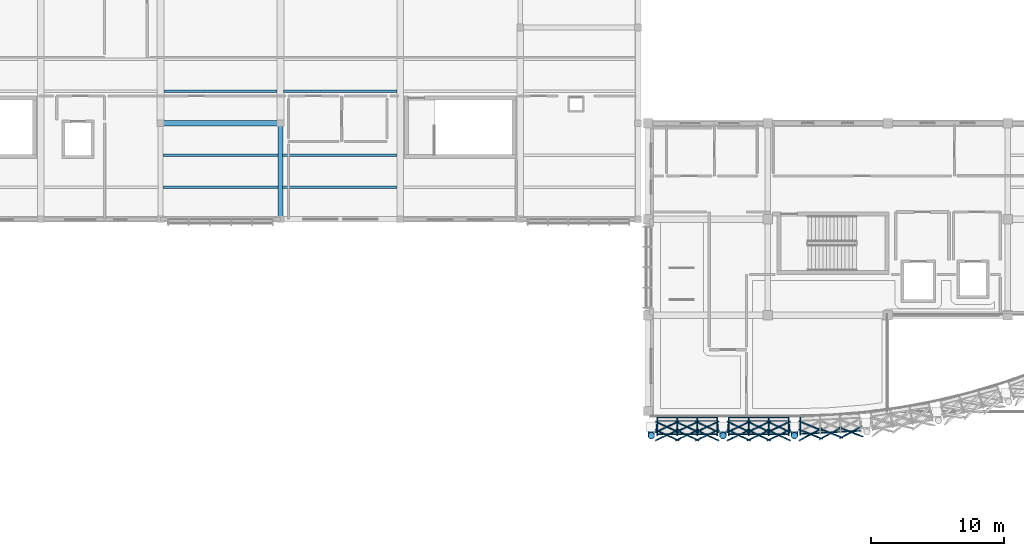
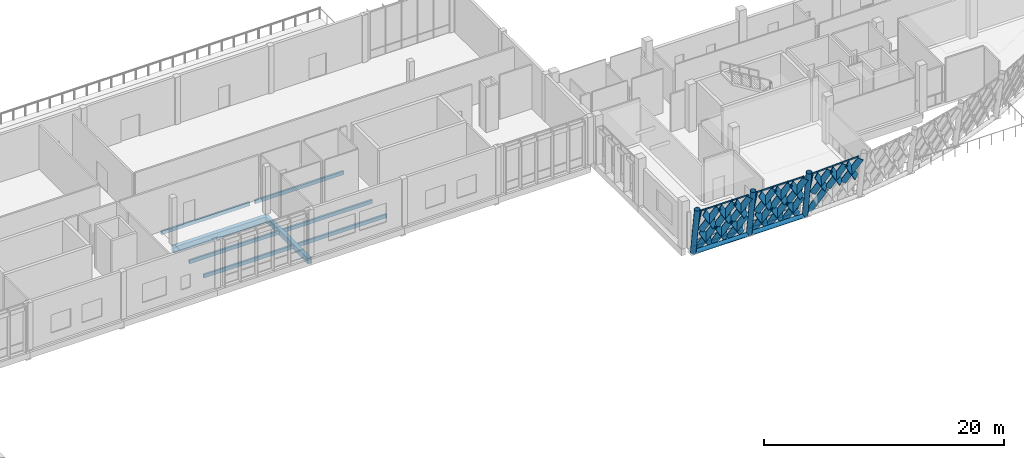
# One storey, part 48 of 177: 50 members, 10 beams, 3 elements without a shape of their own.
"""IFC4 building model written with IfcOpenShell, lengths in metres."""

from ifc_helpers import new_model, si_unit, direction, frame, origin, origin_2d, place, context, subcontext, project, spatial, rectangle, hollow_rectangle, hollow_circle, extrude, material, material_profile, profile_set, type_object, element, aggregate, save


model = new_model("IFC4")

# Units and contexts
model_context = context("Model", 3, precision=1e-05, world=origin(), true_north=direction((0.0, 1.0)))
body_context = subcontext(model_context, "Body", "Model", "MODEL_VIEW")
ifc_project = project(units=[si_unit("LENGTHUNIT", "METRE"), si_unit("AREAUNIT", "SQUARE_METRE"), si_unit("VOLUMEUNIT", "CUBIC_METRE"), si_unit("PLANEANGLEUNIT", "RADIAN"), si_unit("MASSUNIT", "GRAM", prefix="KILO")], contexts=[model_context])

# Site, building, storey
site_placement = place(None, origin())
site = spatial("IfcSite", under=ifc_project, at=site_placement, CompositionType="ELEMENT")
building_placement = place(site_placement, origin())
building = spatial("IfcBuilding", under=site, at=building_placement, Name="Chiffa Square Polytechnic", CompositionType="ELEMENT")
storey_placement = place(building_placement, frame((0.0, 0.0, 4.800048828125)))
storey = spatial("IfcBuildingStorey", under=building, at=storey_placement, Name="L01", CompositionType="ELEMENT", Elevation=4.800048828125)

# Beams
ifc_material_1 = material(Name="Concrete C35/45", Category="concrete")
ifc_material_profile_1 = material_profile(ifc_material_1, rectangle(XDim=0.35009765625, YDim=0.550048828125, at=origin_2d()), Name="RC 350x550")
ifc_profile_set_1 = profile_set([ifc_material_profile_1], Name="Concrete C35/45")
beam_type_1 = type_object("IfcBeamType", Name="BM-RC-350X550", PredefinedType="BEAM", material=ifc_profile_set_1)
beam_1_placement = place(storey_placement, frame((84.60009765625, 21.60009765625, -0.554931640625), z_axis=(0.0, 1.0, 0.0), x_axis=(-1.0, 0.0, 0.0)))
element("IfcBeam", 1, at=beam_1_placement, inside=storey, type_object=beam_type_1, Name="Primary floor girder BM-V4-L01-Y-0846-0216", PredefinedType="BEAM", context=body_context, shape_type="SweptSolid", body=[
    extrude(rectangle(XDim=0.35009765625, YDim=0.550048828125, at=origin_2d()), origin(), (0.0, 0.0, 1.0), 7.199951171875),
])
ifc_material_profile_2 = material_profile(ifc_material_1, rectangle(XDim=0.39990234375, YDim=0.60009765625, at=origin_2d()), Name="RC 400x600")
ifc_profile_set_2 = profile_set([ifc_material_profile_2], Name="Concrete C35/45")
beam_type_2 = type_object("IfcBeamType", Name="BM-RC-400X600", PredefinedType="BEAM", material=ifc_profile_set_2)
beam_2_placement = place(storey_placement, frame((75.60009765625, 28.800048828125, -0.580078125), z_axis=(1.0, 0.0, 0.0), x_axis=(0.0, 1.0, 0.0)))
element("IfcBeam", 2, at=beam_2_placement, inside=storey, type_object=beam_type_2, Name="Primary floor girder BM-V4-L01-X-0756-0288", PredefinedType="BEAM", context=body_context, shape_type="SweptSolid", body=[
    extrude(rectangle(XDim=0.39990234375, YDim=0.60009765625, at=origin_2d()), origin(), (0.0, 0.0, 1.0), 9.0),
])
ifc_material_2 = material(Name="Steel S355", Category="steel")
ifc_material_profile_3 = material_profile(ifc_material_2, hollow_circle(Radius=0.203125, WallThickness=0.012451171875, at=origin_2d()), Name="CHS 406.4x12.5")
ifc_profile_set_3 = profile_set([ifc_material_profile_3], Name="Steel S355")
beam_type_3 = type_object("IfcBeamType", Name="BM-STL-CHS406", PredefinedType="BEAM", material=ifc_profile_set_3)
for number, where, z_axis, x_axis, name in (
    (3, (112.449951171875, 6.029052734375, 0.0), (1.0, 0.0, 0.0), (0.0, 1.0, 0.0), "Prow V-column ring tie BM-V1-VRING-L01-01"),
    (4, (117.824951171875, 6.029052734375, 0.0), (1.0, 0.0, 0.0), (0.0, 1.0, 0.0), "Prow V-column ring tie BM-V1-VRING-L01-02"),
):
    element("IfcBeam", number, at=place(storey_placement, frame(where, z_axis=z_axis, x_axis=x_axis)), inside=storey, type_object=beam_type_3, Name=name, PredefinedType="BEAM", context=body_context, shape_type="SweptSolid", body=[
        extrude(hollow_circle(Radius=0.203125, WallThickness=0.012451171875, at=origin_2d()), origin(), (0.0, 0.0, 1.0), 5.375),
    ])

# Members
ifc_material_profile_4 = material_profile(ifc_material_2, hollow_circle(Radius=0.25390625, WallThickness=0.01611328125, at=origin_2d()), Name="CHS 508x16")
ifc_profile_set_4 = profile_set([ifc_material_profile_4], Name="Steel S355")
member_type_1 = type_object("IfcMemberType", Name="COL-VSTRUT-508", PredefinedType="STRUT", material=ifc_profile_set_4)
for number, where, z_axis, x_axis, name in (
    (5, (112.449951171875, 6.029052734375, 0.0), (0.0, -0.14005342156, 0.990143948681), (1.0, 0.0, 0.0), "Prow steel V-strut CV-V1-L01-01L"),
    (6, (117.824951171875, 6.029052734375, 0.0), (0.0, -0.14005342156, 0.990143948681), (1.0, 0.0, 0.0), "Prow steel V-strut CV-V1-L01-01R"),
    (7, (123.199951171875, 6.029052734375, 0.0), (0.0, -0.14005342156, 0.990143948681), (1.0, 0.0, 0.0), "Prow steel V-strut CV-V1-L01-02L"),
):
    element("IfcMember", number, at=place(storey_placement, frame(where, z_axis=z_axis, x_axis=x_axis)), inside=storey, type_object=member_type_1, Name=name, PredefinedType="STRUT", context=body_context, shape_type="SweptSolid", body=[
        extrude(hollow_circle(Radius=0.25390625, WallThickness=0.01611328125, at=origin_2d()), origin(), (0.0, 0.0, 1.0), 4.847900390625),
    ])

# Curtain wall, members
ifc_material_3 = material(Name="Aluminium EN AW-6060 T66 and glulam shading", Category="wood")
curtain_wall_type_1 = type_object("IfcCurtainWallType", Name="CW-PROW-LEAN-150", PredefinedType="USERDEFINED", material=ifc_material_3)
curtain_wall_1_placement = place(storey_placement, origin())
curtain_wall_1 = element("IfcCurtainWall", 8, at=curtain_wall_1_placement, inside=storey, type_object=curtain_wall_type_1, Name="Outward-leaning diamond-fin prow curtain wall CW-V1-L01-010", ObjectType="CURTAIN WALL", PredefinedType="USERDEFINED")
ifc_material_4 = material(Name="Aluminium EN AW-6060 T66", Category="aluminium")
ifc_material_profile_5 = material_profile(ifc_material_4, hollow_rectangle(XDim=0.06494140625, YDim=0.179931640625, WallThickness=0.00390625, at=origin_2d()), Name="ALU 65x180x4")
ifc_profile_set_5 = profile_set([ifc_material_profile_5], Name="Aluminium EN AW-6060 T66")
member_type_2 = type_object("IfcMemberType", Name="CWM-ALU-75X180", PredefinedType="MULLION", material=ifc_profile_set_5)
member_1_placement = place(storey_placement, frame((112.8798828125, 6.7080078125, 0.0), z_axis=(0.0, -0.27215757501, 0.96225269777), x_axis=(1.0, 0.0, 0.0)))
member_1 = element("IfcMember", 9, at=member_1_placement, type_object=member_type_2, Name="Leaning prow mullion CW-V1-L01-010-M00", PredefinedType="MULLION", context=body_context, shape_type="SweptSolid", body=[
    extrude(hollow_rectangle(XDim=0.06494140625, YDim=0.179931640625, WallThickness=0.00390625, at=origin_2d()), origin(), (0.0, 0.0, 1.0), 4.65576171875),
])
member_2_placement = place(storey_placement, frame((114.385009765625, 6.7080078125, 0.0), z_axis=(0.0, -0.27215757501, 0.96225269777), x_axis=(1.0, 0.0, 0.0)))
member_2 = element("IfcMember", 10, at=member_2_placement, type_object=member_type_2, Name="Leaning prow mullion CW-V1-L01-010-M01", PredefinedType="MULLION", context=body_context, shape_type="SweptSolid", body=[
    extrude(hollow_rectangle(XDim=0.06494140625, YDim=0.179931640625, WallThickness=0.00390625, at=origin_2d()), origin(), (0.0, 0.0, 1.0), 4.65576171875),
])
member_3_placement = place(storey_placement, frame((115.889892578125, 6.7080078125, 0.0), z_axis=(0.0, -0.27215757501, 0.96225269777), x_axis=(1.0, 0.0, 0.0)))
member_3 = element("IfcMember", 11, at=member_3_placement, type_object=member_type_2, Name="Leaning prow mullion CW-V1-L01-010-M02", PredefinedType="MULLION", context=body_context, shape_type="SweptSolid", body=[
    extrude(hollow_rectangle(XDim=0.06494140625, YDim=0.179931640625, WallThickness=0.00390625, at=origin_2d()), origin(), (0.0, 0.0, 1.0), 4.65576171875),
])
member_4_placement = place(storey_placement, frame((117.39501953125, 6.7080078125, 0.0), z_axis=(0.0, -0.27215757501, 0.96225269777), x_axis=(1.0, 0.0, 0.0)))
member_4 = element("IfcMember", 12, at=member_4_placement, type_object=member_type_2, Name="Leaning prow mullion CW-V1-L01-010-M03", PredefinedType="MULLION", context=body_context, shape_type="SweptSolid", body=[
    extrude(hollow_rectangle(XDim=0.06494140625, YDim=0.179931640625, WallThickness=0.00390625, at=origin_2d()), origin(), (0.0, 0.0, 1.0), 4.65576171875),
])

curtain_wall_type_2 = type_object("IfcCurtainWallType", Name="CW-PROW-LEAN-300", PredefinedType="USERDEFINED", material=ifc_material_3)
curtain_wall_2_placement = place(storey_placement, origin())
curtain_wall_2 = element("IfcCurtainWall", 13, at=curtain_wall_2_placement, inside=storey, type_object=curtain_wall_type_2, Name="Outward-leaning diamond-fin prow curtain wall CW-V1-L01-011", ObjectType="CURTAIN WALL", PredefinedType="USERDEFINED")
member_5_placement = place(storey_placement, frame((118.2548828125, 6.7080078125, 0.0), z_axis=(0.0, -0.27215757501, 0.96225269777), x_axis=(1.0, 0.0, 0.0)))
member_5 = element("IfcMember", 14, at=member_5_placement, type_object=member_type_2, Name="Leaning prow mullion CW-V1-L01-011-M00", PredefinedType="MULLION", context=body_context, shape_type="SweptSolid", body=[
    extrude(hollow_rectangle(XDim=0.06494140625, YDim=0.179931640625, WallThickness=0.00390625, at=origin_2d()), origin(), (0.0, 0.0, 1.0), 4.65576171875),
])
member_6_placement = place(storey_placement, frame((119.760009765625, 6.7080078125, 0.0), z_axis=(0.0, -0.27215757501, 0.96225269777), x_axis=(1.0, 0.0, 0.0)))
member_6 = element("IfcMember", 15, at=member_6_placement, type_object=member_type_2, Name="Leaning prow mullion CW-V1-L01-011-M01", PredefinedType="MULLION", context=body_context, shape_type="SweptSolid", body=[
    extrude(hollow_rectangle(XDim=0.06494140625, YDim=0.179931640625, WallThickness=0.00390625, at=origin_2d()), origin(), (0.0, 0.0, 1.0), 4.65576171875),
])
member_7_placement = place(storey_placement, frame((121.264892578125, 6.7080078125, 0.0), z_axis=(0.0, -0.27215757501, 0.96225269777), x_axis=(1.0, 0.0, 0.0)))
member_7 = element("IfcMember", 16, at=member_7_placement, type_object=member_type_2, Name="Leaning prow mullion CW-V1-L01-011-M02", PredefinedType="MULLION", context=body_context, shape_type="SweptSolid", body=[
    extrude(hollow_rectangle(XDim=0.06494140625, YDim=0.179931640625, WallThickness=0.00390625, at=origin_2d()), origin(), (0.0, 0.0, 1.0), 4.65576171875),
])
member_8_placement = place(storey_placement, frame((122.77001953125, 6.7080078125, 0.0), z_axis=(0.0, -0.27215757501, 0.96225269777), x_axis=(1.0, 0.0, 0.0)))
member_8 = element("IfcMember", 17, at=member_8_placement, type_object=member_type_2, Name="Leaning prow mullion CW-V1-L01-011-M03", PredefinedType="MULLION", context=body_context, shape_type="SweptSolid", body=[
    extrude(hollow_rectangle(XDim=0.06494140625, YDim=0.179931640625, WallThickness=0.00390625, at=origin_2d()), origin(), (0.0, 0.0, 1.0), 4.65576171875),
])

# Curtain wall, member
curtain_wall_3_placement = place(storey_placement, origin())
curtain_wall_3 = element("IfcCurtainWall", 18, at=curtain_wall_3_placement, inside=storey, type_object=curtain_wall_type_1, Name="Outward-leaning diamond-fin prow curtain wall CW-V1-L01-012", ObjectType="CURTAIN WALL", PredefinedType="USERDEFINED")
member_9_placement = place(storey_placement, frame((123.62890625, 6.73095703125, 0.0), z_axis=(0.0, -0.272351777206, 0.962197749661), x_axis=(1.0, 0.0, 0.0)))
member_9 = element("IfcMember", 19, at=member_9_placement, type_object=member_type_2, Name="Leaning prow mullion CW-V1-L01-012-M00", PredefinedType="MULLION", context=body_context, shape_type="SweptSolid", body=[
    extrude(hollow_rectangle(XDim=0.06494140625, YDim=0.179931640625, WallThickness=0.00390625, at=origin_2d()), origin(), (0.0, 0.0, 1.0), 4.656005859375),
])

# Member
ifc_material_5 = material(Name="Glulam GL28h", Category="wood")
ifc_material_profile_6 = material_profile(ifc_material_5, rectangle(XDim=0.080078125, YDim=0.580078125, at=origin_2d()), Name="GL28h 80x580")
ifc_profile_set_6 = profile_set([ifc_material_profile_6], Name="Glulam GL28h")
member_type_3 = type_object("IfcMemberType", Name="CWM-GL-80X580", PredefinedType="MULLION", material=ifc_profile_set_6)
member_10_placement = place(storey_placement, frame((112.962890625, 6.322021484375, 0.0400390625), z_axis=(0.5053721068, -0.235133931915, 0.830247594234), x_axis=(0.421844523072, 0.906668185365, 0.0)))
member_10 = element("IfcMember", 20, at=member_10_placement, type_object=member_type_3, Name="Diamond glulam fin CW-V1-L01-010-DF01A", PredefinedType="MULLION", context=body_context, shape_type="SweptSolid", body=[
    extrude(rectangle(XDim=0.080078125, YDim=0.580078125, at=origin_2d()), origin(), (0.0, 0.0, 1.0), 2.649658203125),
])

member_11_placement = place(storey_placement, frame((114.302001953125, 6.322021484375, 0.0400390625), z_axis=(-0.5053721068, -0.235133931915, 0.830247594234), x_axis=(0.421844523072, -0.906668185365, 0.0)))
member_11 = element("IfcMember", 21, at=member_11_placement, type_object=member_type_3, Name="Diamond glulam fin CW-V1-L01-010-DF01B", PredefinedType="MULLION", context=body_context, shape_type="SweptSolid", body=[
    extrude(rectangle(XDim=0.080078125, YDim=0.580078125, at=origin_2d()), origin(), (0.0, 0.0, 1.0), 2.649658203125),
])

member_12_placement = place(storey_placement, frame((112.962890625, 5.698974609375, 2.239990234375), z_axis=(0.505415872827, -0.234785714487, 0.830319494994), x_axis=(0.421300759459, 0.906920983372, 0.0)))
member_12 = element("IfcMember", 22, at=member_12_placement, type_object=member_type_3, Name="Diamond glulam fin CW-V1-L01-010-DF02A", PredefinedType="MULLION", context=body_context, shape_type="SweptSolid", body=[
    extrude(rectangle(XDim=0.080078125, YDim=0.580078125, at=origin_2d()), origin(), (0.0, 0.0, 1.0), 2.6494140625),
])

member_13_placement = place(storey_placement, frame((114.302001953125, 5.698974609375, 2.239990234375), z_axis=(-0.505415872827, -0.234785714487, 0.830319494994), x_axis=(0.421300759459, -0.906920983372, 0.0)))
member_13 = element("IfcMember", 23, at=member_13_placement, type_object=member_type_3, Name="Diamond glulam fin CW-V1-L01-010-DF02B", PredefinedType="MULLION", context=body_context, shape_type="SweptSolid", body=[
    extrude(rectangle(XDim=0.080078125, YDim=0.580078125, at=origin_2d()), origin(), (0.0, 0.0, 1.0), 2.6494140625),
])

member_14_placement = place(storey_placement, frame((114.468017578125, 6.322021484375, 0.0400390625), z_axis=(0.505303496797, -0.235144880348, 0.830286252669), x_axis=(0.42190775415, 0.906638763228, 0.0)))
member_14 = element("IfcMember", 24, at=member_14_placement, type_object=member_type_3, Name="Diamond glulam fin CW-V1-L01-010-DF03A", PredefinedType="MULLION", context=body_context, shape_type="SweptSolid", body=[
    extrude(rectangle(XDim=0.080078125, YDim=0.580078125, at=origin_2d()), origin(), (0.0, 0.0, 1.0), 2.649658203125),
])

member_15_placement = place(storey_placement, frame((115.806884765625, 6.322021484375, 0.0400390625), z_axis=(-0.505303496797, -0.235144880348, 0.830286252669), x_axis=(0.42190775415, -0.906638763228, 0.0)))
member_15 = element("IfcMember", 25, at=member_15_placement, type_object=member_type_3, Name="Diamond glulam fin CW-V1-L01-010-DF03B", PredefinedType="MULLION", context=body_context, shape_type="SweptSolid", body=[
    extrude(rectangle(XDim=0.080078125, YDim=0.580078125, at=origin_2d()), origin(), (0.0, 0.0, 1.0), 2.649658203125),
])

member_16_placement = place(storey_placement, frame((114.468017578125, 5.698974609375, 2.239990234375), z_axis=(0.505347260958, -0.2347966486, 0.830358163474), x_axis=(0.421363944258, 0.906891628851, 0.0)))
member_16 = element("IfcMember", 26, at=member_16_placement, type_object=member_type_3, Name="Diamond glulam fin CW-V1-L01-010-DF04A", PredefinedType="MULLION", context=body_context, shape_type="SweptSolid", body=[
    extrude(rectangle(XDim=0.080078125, YDim=0.580078125, at=origin_2d()), origin(), (0.0, 0.0, 1.0), 2.6494140625),
])

member_17_placement = place(storey_placement, frame((115.806884765625, 5.698974609375, 2.239990234375), z_axis=(-0.505347260958, -0.2347966486, 0.830358163474), x_axis=(0.421363944258, -0.906891628851, 0.0)))
member_17 = element("IfcMember", 27, at=member_17_placement, type_object=member_type_3, Name="Diamond glulam fin CW-V1-L01-010-DF04B", PredefinedType="MULLION", context=body_context, shape_type="SweptSolid", body=[
    extrude(rectangle(XDim=0.080078125, YDim=0.580078125, at=origin_2d()), origin(), (0.0, 0.0, 1.0), 2.6494140625),
])

member_18_placement = place(storey_placement, frame((115.972900390625, 6.322021484375, 0.0400390625), z_axis=(0.5053721068, -0.235133931915, 0.830247594234), x_axis=(0.421844523072, 0.906668185365, 0.0)))
member_18 = element("IfcMember", 28, at=member_18_placement, type_object=member_type_3, Name="Diamond glulam fin CW-V1-L01-010-DF05A", PredefinedType="MULLION", context=body_context, shape_type="SweptSolid", body=[
    extrude(rectangle(XDim=0.080078125, YDim=0.580078125, at=origin_2d()), origin(), (0.0, 0.0, 1.0), 2.649658203125),
])

member_19_placement = place(storey_placement, frame((117.31201171875, 6.322021484375, 0.0400390625), z_axis=(-0.5053721068, -0.235133931915, 0.830247594234), x_axis=(0.421844523072, -0.906668185365, 0.0)))
member_19 = element("IfcMember", 29, at=member_19_placement, type_object=member_type_3, Name="Diamond glulam fin CW-V1-L01-010-DF05B", PredefinedType="MULLION", context=body_context, shape_type="SweptSolid", body=[
    extrude(rectangle(XDim=0.080078125, YDim=0.580078125, at=origin_2d()), origin(), (0.0, 0.0, 1.0), 2.649658203125),
])

member_20_placement = place(storey_placement, frame((115.972900390625, 5.698974609375, 2.239990234375), z_axis=(0.505415872827, -0.234785714487, 0.830319494994), x_axis=(0.421300759459, 0.906920983372, 0.0)))
member_20 = element("IfcMember", 30, at=member_20_placement, type_object=member_type_3, Name="Diamond glulam fin CW-V1-L01-010-DF06A", PredefinedType="MULLION", context=body_context, shape_type="SweptSolid", body=[
    extrude(rectangle(XDim=0.080078125, YDim=0.580078125, at=origin_2d()), origin(), (0.0, 0.0, 1.0), 2.6494140625),
])

member_21_placement = place(storey_placement, frame((117.31201171875, 5.698974609375, 2.239990234375), z_axis=(-0.505415872827, -0.234785714487, 0.830319494994), x_axis=(0.421300759459, -0.906920983372, 0.0)))
member_21 = element("IfcMember", 31, at=member_21_placement, type_object=member_type_3, Name="Diamond glulam fin CW-V1-L01-010-DF06B", PredefinedType="MULLION", context=body_context, shape_type="SweptSolid", body=[
    extrude(rectangle(XDim=0.080078125, YDim=0.580078125, at=origin_2d()), origin(), (0.0, 0.0, 1.0), 2.6494140625),
])

member_22_placement = place(storey_placement, frame((118.337890625, 6.322021484375, 0.0400390625), z_axis=(0.5053721068, -0.235133931915, 0.830247594234), x_axis=(0.421844523072, 0.906668185365, 0.0)))
member_22 = element("IfcMember", 32, at=member_22_placement, type_object=member_type_3, Name="Diamond glulam fin CW-V1-L01-011-DF01A", PredefinedType="MULLION", context=body_context, shape_type="SweptSolid", body=[
    extrude(rectangle(XDim=0.080078125, YDim=0.580078125, at=origin_2d()), origin(), (0.0, 0.0, 1.0), 2.649658203125),
])

member_23_placement = place(storey_placement, frame((119.677001953125, 6.322021484375, 0.0400390625), z_axis=(-0.5053721068, -0.235133931915, 0.830247594234), x_axis=(0.421844523072, -0.906668185365, 0.0)))
member_23 = element("IfcMember", 33, at=member_23_placement, type_object=member_type_3, Name="Diamond glulam fin CW-V1-L01-011-DF01B", PredefinedType="MULLION", context=body_context, shape_type="SweptSolid", body=[
    extrude(rectangle(XDim=0.080078125, YDim=0.580078125, at=origin_2d()), origin(), (0.0, 0.0, 1.0), 2.649658203125),
])

member_24_placement = place(storey_placement, frame((118.337890625, 5.698974609375, 2.239990234375), z_axis=(0.505415872827, -0.234785714487, 0.830319494994), x_axis=(0.421300759459, 0.906920983372, 0.0)))
member_24 = element("IfcMember", 34, at=member_24_placement, type_object=member_type_3, Name="Diamond glulam fin CW-V1-L01-011-DF02A", PredefinedType="MULLION", context=body_context, shape_type="SweptSolid", body=[
    extrude(rectangle(XDim=0.080078125, YDim=0.580078125, at=origin_2d()), origin(), (0.0, 0.0, 1.0), 2.6494140625),
])

member_25_placement = place(storey_placement, frame((119.677001953125, 5.698974609375, 2.239990234375), z_axis=(-0.505415872827, -0.234785714487, 0.830319494994), x_axis=(0.421300759459, -0.906920983372, 0.0)))
member_25 = element("IfcMember", 35, at=member_25_placement, type_object=member_type_3, Name="Diamond glulam fin CW-V1-L01-011-DF02B", PredefinedType="MULLION", context=body_context, shape_type="SweptSolid", body=[
    extrude(rectangle(XDim=0.080078125, YDim=0.580078125, at=origin_2d()), origin(), (0.0, 0.0, 1.0), 2.6494140625),
])

member_26_placement = place(storey_placement, frame((119.843017578125, 6.322021484375, 0.0400390625), z_axis=(0.505303496797, -0.235144880348, 0.830286252669), x_axis=(0.42190775415, 0.906638763228, 0.0)))
member_26 = element("IfcMember", 36, at=member_26_placement, type_object=member_type_3, Name="Diamond glulam fin CW-V1-L01-011-DF03A", PredefinedType="MULLION", context=body_context, shape_type="SweptSolid", body=[
    extrude(rectangle(XDim=0.080078125, YDim=0.580078125, at=origin_2d()), origin(), (0.0, 0.0, 1.0), 2.649658203125),
])

member_27_placement = place(storey_placement, frame((121.181884765625, 6.322021484375, 0.0400390625), z_axis=(-0.505303496797, -0.235144880348, 0.830286252669), x_axis=(0.42190775415, -0.906638763228, 0.0)))
member_27 = element("IfcMember", 37, at=member_27_placement, type_object=member_type_3, Name="Diamond glulam fin CW-V1-L01-011-DF03B", PredefinedType="MULLION", context=body_context, shape_type="SweptSolid", body=[
    extrude(rectangle(XDim=0.080078125, YDim=0.580078125, at=origin_2d()), origin(), (0.0, 0.0, 1.0), 2.649658203125),
])

member_28_placement = place(storey_placement, frame((119.843017578125, 5.698974609375, 2.239990234375), z_axis=(0.505347260958, -0.2347966486, 0.830358163474), x_axis=(0.421363944258, 0.906891628851, 0.0)))
member_28 = element("IfcMember", 38, at=member_28_placement, type_object=member_type_3, Name="Diamond glulam fin CW-V1-L01-011-DF04A", PredefinedType="MULLION", context=body_context, shape_type="SweptSolid", body=[
    extrude(rectangle(XDim=0.080078125, YDim=0.580078125, at=origin_2d()), origin(), (0.0, 0.0, 1.0), 2.6494140625),
])

member_29_placement = place(storey_placement, frame((121.181884765625, 5.698974609375, 2.239990234375), z_axis=(-0.505347260958, -0.2347966486, 0.830358163474), x_axis=(0.421363944258, -0.906891628851, 0.0)))
member_29 = element("IfcMember", 39, at=member_29_placement, type_object=member_type_3, Name="Diamond glulam fin CW-V1-L01-011-DF04B", PredefinedType="MULLION", context=body_context, shape_type="SweptSolid", body=[
    extrude(rectangle(XDim=0.080078125, YDim=0.580078125, at=origin_2d()), origin(), (0.0, 0.0, 1.0), 2.6494140625),
])

member_30_placement = place(storey_placement, frame((121.347900390625, 6.322021484375, 0.0400390625), z_axis=(0.5053721068, -0.235133931915, 0.830247594234), x_axis=(0.421844523072, 0.906668185365, 0.0)))
member_30 = element("IfcMember", 40, at=member_30_placement, type_object=member_type_3, Name="Diamond glulam fin CW-V1-L01-011-DF05A", PredefinedType="MULLION", context=body_context, shape_type="SweptSolid", body=[
    extrude(rectangle(XDim=0.080078125, YDim=0.580078125, at=origin_2d()), origin(), (0.0, 0.0, 1.0), 2.649658203125),
])

member_31_placement = place(storey_placement, frame((122.68701171875, 6.322021484375, 0.0400390625), z_axis=(-0.5053721068, -0.235133931915, 0.830247594234), x_axis=(0.421844523072, -0.906668185365, 0.0)))
member_31 = element("IfcMember", 41, at=member_31_placement, type_object=member_type_3, Name="Diamond glulam fin CW-V1-L01-011-DF05B", PredefinedType="MULLION", context=body_context, shape_type="SweptSolid", body=[
    extrude(rectangle(XDim=0.080078125, YDim=0.580078125, at=origin_2d()), origin(), (0.0, 0.0, 1.0), 2.649658203125),
])

member_32_placement = place(storey_placement, frame((121.347900390625, 5.698974609375, 2.239990234375), z_axis=(0.505415872827, -0.234785714487, 0.830319494994), x_axis=(0.421300759459, 0.906920983372, 0.0)))
member_32 = element("IfcMember", 42, at=member_32_placement, type_object=member_type_3, Name="Diamond glulam fin CW-V1-L01-011-DF06A", PredefinedType="MULLION", context=body_context, shape_type="SweptSolid", body=[
    extrude(rectangle(XDim=0.080078125, YDim=0.580078125, at=origin_2d()), origin(), (0.0, 0.0, 1.0), 2.6494140625),
])

member_33_placement = place(storey_placement, frame((122.68701171875, 5.698974609375, 2.239990234375), z_axis=(-0.505415872827, -0.234785714487, 0.830319494994), x_axis=(0.421300759459, -0.906920983372, 0.0)))
member_33 = element("IfcMember", 43, at=member_33_placement, type_object=member_type_3, Name="Diamond glulam fin CW-V1-L01-011-DF06B", PredefinedType="MULLION", context=body_context, shape_type="SweptSolid", body=[
    extrude(rectangle(XDim=0.080078125, YDim=0.580078125, at=origin_2d()), origin(), (0.0, 0.0, 1.0), 2.6494140625),
])

member_34_placement = place(storey_placement, frame((123.72998046875, 6.34912109375, 0.0400390625), z_axis=(0.507784597492, -0.209660514048, 0.835581995617), x_axis=(0.340696997784, 0.939733420837, 0.028751581917)))
member_34 = element("IfcMember", 44, at=member_34_placement, type_object=member_type_3, Name="Diamond glulam fin CW-V1-L01-012-DF01A", PredefinedType="MULLION", context=body_context, shape_type="SweptSolid", body=[
    extrude(rectangle(XDim=0.080078125, YDim=0.580078125, at=origin_2d()), origin(), (0.0, 0.0, 1.0), 2.6328125),
])

member_35_placement = place(storey_placement, frame((123.73095703125, 5.72705078125, 2.239990234375), z_axis=(0.513122976003, -0.208889277772, 0.832508306943), x_axis=(0.336176805846, 0.941352462208, 0.028994777204)))
member_35 = element("IfcMember", 45, at=member_35_placement, type_object=member_type_3, Name="Diamond glulam fin CW-V1-L01-012-DF02A", PredefinedType="MULLION", context=body_context, shape_type="SweptSolid", body=[
    extrude(rectangle(XDim=0.080078125, YDim=0.580078125, at=origin_2d()), origin(), (0.0, 0.0, 1.0), 2.642578125),
])

member_36_placement = place(storey_placement, frame((125.06689453125, 5.797119140625, 2.239990234375), z_axis=(-0.500920269272, -0.260079122982, 0.825492418876), x_axis=(0.498506974684, -0.866382269831, 0.029539104818)))
member_36 = element("IfcMember", 46, at=member_36_placement, type_object=member_type_3, Name="Diamond glulam fin CW-V1-L01-012-DF02B", PredefinedType="MULLION", context=body_context, shape_type="SweptSolid", body=[
    extrude(rectangle(XDim=0.080078125, YDim=0.580078125, at=origin_2d()), origin(), (0.0, 0.0, 1.0), 2.6650390625),
])

member_37_placement = place(storey_placement, frame((125.23193359375, 5.805908203125, 2.239990234375), z_axis=(0.518980333455, -0.207684151172, 0.829172302263), x_axis=(0.330734137669, 0.943270401043, 0.029255438764)))
member_37 = element("IfcMember", 47, at=member_37_placement, type_object=member_type_3, Name="Diamond glulam fin CW-V1-L01-012-DF04A", PredefinedType="MULLION", context=body_context, shape_type="SweptSolid", body=[
    extrude(rectangle(XDim=0.080078125, YDim=0.580078125, at=origin_2d()), origin(), (0.0, 0.0, 1.0), 2.653076171875),
])

member_38_placement = place(storey_placement, frame((126.56689453125, 5.8759765625, 2.239990234375), z_axis=(-0.494487308132, -0.260769823455, 0.829144982058), x_axis=(0.504209876036, -0.863085393293, 0.029257559563)))
member_38 = element("IfcMember", 48, at=member_38_placement, type_object=member_type_3, Name="Diamond glulam fin CW-V1-L01-012-DF04B", PredefinedType="MULLION", context=body_context, shape_type="SweptSolid", body=[
    extrude(rectangle(XDim=0.080078125, YDim=0.580078125, at=origin_2d()), origin(), (0.0, 0.0, 1.0), 2.6533203125),
])

member_39_placement = place(storey_placement, frame((126.73193359375, 5.884033203125, 2.239990234375), z_axis=(0.525403614865, -0.206038836937, 0.825529550749), x_axis=(0.324361803485, 0.945471855554, 0.029536262363)))
member_39 = element("IfcMember", 49, at=member_39_placement, type_object=member_type_3, Name="Diamond glulam fin CW-V1-L01-012-DF06A", PredefinedType="MULLION", context=body_context, shape_type="SweptSolid", body=[
    extrude(rectangle(XDim=0.080078125, YDim=0.580078125, at=origin_2d()), origin(), (0.0, 0.0, 1.0), 2.664794921875),
])

member_40_placement = place(storey_placement, frame((128.068115234375, 5.9541015625, 2.239990234375), z_axis=(-0.488556449068, -0.261185529787, 0.832523101844), x_axis=(0.509240702932, -0.860135615381, 0.02899361363)))
member_40 = element("IfcMember", 50, at=member_40_placement, type_object=member_type_3, Name="Diamond glulam fin CW-V1-L01-012-DF06B", PredefinedType="MULLION", context=body_context, shape_type="SweptSolid", body=[
    extrude(rectangle(XDim=0.080078125, YDim=0.580078125, at=origin_2d()), origin(), (0.0, 0.0, 1.0), 2.642578125),
])

ifc_material_profile_7 = material_profile(ifc_material_4, hollow_rectangle(XDim=0.06494140625, YDim=0.139892578125, WallThickness=0.00390625, at=origin_2d()), Name="ALU 65x140x4")
ifc_profile_set_7 = profile_set([ifc_material_profile_7], Name="Aluminium EN AW-6060 T66")
member_type_4 = type_object("IfcMemberType", Name="CWT-ALU-75X140", PredefinedType="USERDEFINED", material=ifc_profile_set_7)
member_41_placement = place(storey_placement, frame((112.8798828125, 6.69677734375, 0.0400390625), z_axis=(1.0, 0.0, 0.0), x_axis=(0.0, 1.0, 0.0)))
member_41 = element("IfcMember", 51, at=member_41_placement, type_object=member_type_4, Name="Leaning prow transom CW-V1-L01-010-T01", ObjectType="TRANSOM", PredefinedType="USERDEFINED", context=body_context, shape_type="SweptSolid", body=[
    extrude(hollow_rectangle(XDim=0.06494140625, YDim=0.139892578125, WallThickness=0.00390625, at=origin_2d()), origin(), (0.0, 0.0, 1.0), 4.51513671875),
])

member_42_placement = place(storey_placement, frame((112.8798828125, 6.467529296875, 0.849853515625), z_axis=(1.0, 0.0, 0.0), x_axis=(0.0, 1.0, 0.0)))
member_42 = element("IfcMember", 52, at=member_42_placement, type_object=member_type_4, Name="Leaning prow transom CW-V1-L01-010-T02", ObjectType="TRANSOM", PredefinedType="USERDEFINED", context=body_context, shape_type="SweptSolid", body=[
    extrude(hollow_rectangle(XDim=0.06494140625, YDim=0.139892578125, WallThickness=0.00390625, at=origin_2d()), origin(), (0.0, 0.0, 1.0), 4.51513671875),
])

member_43_placement = place(storey_placement, frame((112.8798828125, 5.452392578125, 4.43994140625), z_axis=(1.0, 0.0, 0.0), x_axis=(0.0, 1.0, 0.0)))
member_43 = element("IfcMember", 53, at=member_43_placement, type_object=member_type_4, Name="Leaning prow transom CW-V1-L01-010-T03", ObjectType="TRANSOM", PredefinedType="USERDEFINED", context=body_context, shape_type="SweptSolid", body=[
    extrude(hollow_rectangle(XDim=0.06494140625, YDim=0.139892578125, WallThickness=0.00390625, at=origin_2d()), origin(), (0.0, 0.0, 1.0), 4.51513671875),
])

aggregate(curtain_wall_1, [member_1, member_2, member_3, member_4, member_41, member_42, member_43, member_10, member_11, member_12, member_13, member_14, member_15, member_16, member_17, member_18, member_19, member_20, member_21])

member_44_placement = place(storey_placement, frame((118.2548828125, 6.69677734375, 0.0400390625), z_axis=(1.0, 0.0, 0.0), x_axis=(0.0, 1.0, 0.0)))
member_44 = element("IfcMember", 54, at=member_44_placement, type_object=member_type_4, Name="Leaning prow transom CW-V1-L01-011-T01", ObjectType="TRANSOM", PredefinedType="USERDEFINED", context=body_context, shape_type="SweptSolid", body=[
    extrude(hollow_rectangle(XDim=0.06494140625, YDim=0.139892578125, WallThickness=0.00390625, at=origin_2d()), origin(), (0.0, 0.0, 1.0), 4.51513671875),
])

member_45_placement = place(storey_placement, frame((118.2548828125, 6.467529296875, 0.849853515625), z_axis=(1.0, 0.0, 0.0), x_axis=(0.0, 1.0, 0.0)))
member_45 = element("IfcMember", 55, at=member_45_placement, type_object=member_type_4, Name="Leaning prow transom CW-V1-L01-011-T02", ObjectType="TRANSOM", PredefinedType="USERDEFINED", context=body_context, shape_type="SweptSolid", body=[
    extrude(hollow_rectangle(XDim=0.06494140625, YDim=0.139892578125, WallThickness=0.00390625, at=origin_2d()), origin(), (0.0, 0.0, 1.0), 4.51513671875),
])

member_46_placement = place(storey_placement, frame((118.2548828125, 5.452392578125, 4.43994140625), z_axis=(1.0, 0.0, 0.0), x_axis=(0.0, 1.0, 0.0)))
member_46 = element("IfcMember", 56, at=member_46_placement, type_object=member_type_4, Name="Leaning prow transom CW-V1-L01-011-T03", ObjectType="TRANSOM", PredefinedType="USERDEFINED", context=body_context, shape_type="SweptSolid", body=[
    extrude(hollow_rectangle(XDim=0.06494140625, YDim=0.139892578125, WallThickness=0.00390625, at=origin_2d()), origin(), (0.0, 0.0, 1.0), 4.51513671875),
])

aggregate(curtain_wall_2, [member_5, member_6, member_7, member_8, member_44, member_45, member_46, member_22, member_23, member_24, member_25, member_26, member_27, member_28, member_29, member_30, member_31, member_32, member_33])

member_47_placement = place(storey_placement, frame((123.62890625, 5.474365234375, 4.43994140625), z_axis=(0.998624898986, 0.052424337154, 0.0), x_axis=(-0.052424337154, 0.998624898986, 0.0)))
member_47 = element("IfcMember", 57, at=member_47_placement, type_object=member_type_4, Name="Leaning prow transom CW-V1-L01-012-T03", ObjectType="TRANSOM", PredefinedType="USERDEFINED", context=body_context, shape_type="SweptSolid", body=[
    extrude(hollow_rectangle(XDim=0.06494140625, YDim=0.139892578125, WallThickness=0.00390625, at=origin_2d()), origin(), (0.0, 0.0, 1.0), 4.5732421875),
])

aggregate(curtain_wall_3, [member_9, member_47, member_34, member_35, member_36, member_37, member_38, member_39, member_40])

# Beams
ifc_material_profile_8 = material_profile(ifc_material_5, rectangle(XDim=0.179931640625, YDim=0.360107421875, at=origin_2d()), Name="GL28h 180x360")
ifc_profile_set_8 = profile_set([ifc_material_profile_8], Name="Glulam GL28h")
beam_type_4 = type_object("IfcBeamType", Name="JST-GL-180X360", PredefinedType="JOIST", material=ifc_profile_set_8)
for number, where, z_axis, x_axis, name in (
    (58, (75.77294921875, 24.0, -0.4599609375), (1.0, 0.0, 0.0), (0.0, 1.0, 0.0), "Secondary floor joist JST-V4-L01-0756-0240"),
    (59, (75.77294921875, 26.39990234375, -0.4599609375), (1.0, 0.0, 0.0), (0.0, 1.0, 0.0), "Secondary floor joist JST-V4-L01-0756-0264"),
):
    element("IfcBeam", number, at=place(storey_placement, frame(where, z_axis=z_axis, x_axis=x_axis)), inside=storey, type_object=beam_type_4, Name=name, PredefinedType="JOIST", context=body_context, shape_type="SweptSolid", body=[
        extrude(rectangle(XDim=0.179931640625, YDim=0.360107421875, at=origin_2d()), origin(), (0.0, 0.0, 1.0), 8.654052734375),
    ])
beam_3_placement = place(storey_placement, frame((75.847900390625, 31.199951171875, -0.4599609375), z_axis=(1.0, 0.0, 0.0), x_axis=(0.0, 1.0, 0.0)))
element("IfcBeam", 60, at=beam_3_placement, inside=storey, type_object=beam_type_4, Name="Secondary floor joist JST-V4-L01-0756-0312", PredefinedType="JOIST", context=body_context, shape_type="SweptSolid", body=[
    extrude(rectangle(XDim=0.179931640625, YDim=0.360107421875, at=origin_2d()), origin(), (0.0, 0.0, 1.0), 8.504150390625),
])
for number, where, z_axis, x_axis, name in (
    (61, (84.77294921875, 24.0, -0.4599609375), (1.0, 0.0, 0.0), (0.0, 1.0, 0.0), "Secondary floor joist JST-V4-L01-0846-0240"),
    (62, (84.77294921875, 26.39990234375, -0.4599609375), (1.0, 0.0, 0.0), (0.0, 1.0, 0.0), "Secondary floor joist JST-V4-L01-0846-0264"),
):
    element("IfcBeam", number, at=place(storey_placement, frame(where, z_axis=z_axis, x_axis=x_axis)), inside=storey, type_object=beam_type_4, Name=name, PredefinedType="JOIST", context=body_context, shape_type="SweptSolid", body=[
        extrude(rectangle(XDim=0.179931640625, YDim=0.360107421875, at=origin_2d()), origin(), (0.0, 0.0, 1.0), 8.5791015625),
    ])
beam_4_placement = place(storey_placement, frame((84.847900390625, 31.199951171875, -0.4599609375), z_axis=(1.0, 0.0, 0.0), x_axis=(0.0, 1.0, 0.0)))
element("IfcBeam", 63, at=beam_4_placement, inside=storey, type_object=beam_type_4, Name="Secondary floor joist JST-V4-L01-0846-0312", PredefinedType="JOIST", context=body_context, shape_type="SweptSolid", body=[
    extrude(rectangle(XDim=0.179931640625, YDim=0.360107421875, at=origin_2d()), origin(), (0.0, 0.0, 1.0), 8.504150390625),
])

save(model, "model.ifc")
